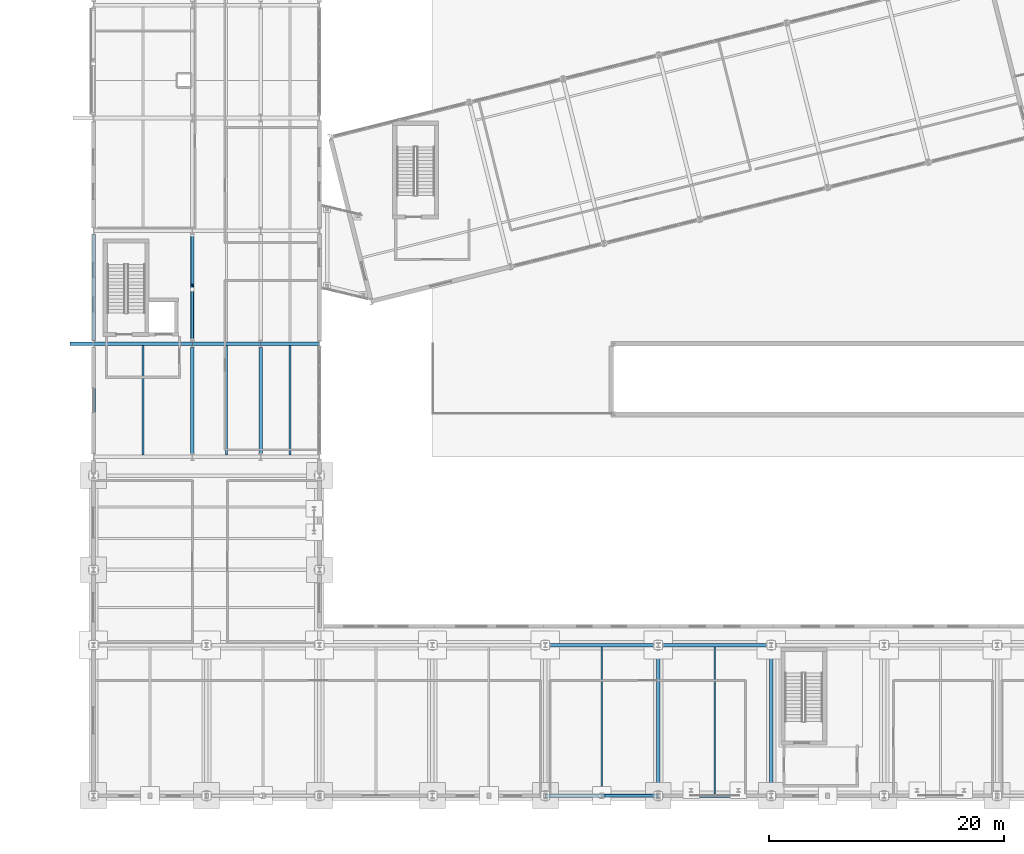
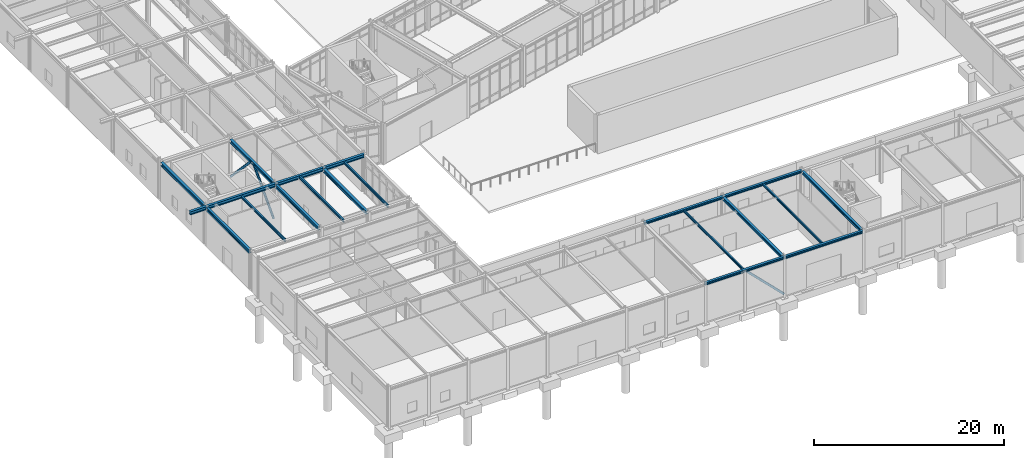
# One storey, part 22 of 109: 20 beams, 3 members.
"""IFC4 building model written with IfcOpenShell, lengths in metres."""

from ifc_helpers import new_model, si_unit, direction, frame, origin, origin_2d, place, context, subcontext, project, spatial, hollow_rectangle, hollow_circle, i_section, extrude, material, material_profile, profile_set, type_object, element, save


model = new_model("IFC4")

# Units and contexts
model_context = context("Model", 3, precision=1e-05, world=origin(), true_north=direction((0.0, 1.0)))
body_context = subcontext(model_context, "Body", "Model", "MODEL_VIEW")
ifc_project = project(units=[si_unit("LENGTHUNIT", "METRE"), si_unit("AREAUNIT", "SQUARE_METRE"), si_unit("VOLUMEUNIT", "CUBIC_METRE"), si_unit("PLANEANGLEUNIT", "RADIAN"), si_unit("MASSUNIT", "GRAM", prefix="KILO")], contexts=[model_context])

# Site, building, storey
site_placement = place(None, origin())
site = spatial("IfcSite", under=ifc_project, at=site_placement, CompositionType="ELEMENT")
building_placement = place(site_placement, origin())
building = spatial("IfcBuilding", under=site, at=building_placement, Name="Nordkorset Police Headquarters", CompositionType="ELEMENT")
storey_placement = place(building_placement, origin())
storey = spatial("IfcBuildingStorey", under=building, at=storey_placement, Name="L00", CompositionType="ELEMENT", Elevation=0.0)

# Beams
ifc_material_1 = material(Name="Steel S355J2", Category="steel")
ifc_material_profile_1 = material_profile(ifc_material_1, i_section(OverallWidth=0.14990234375, OverallDepth=0.300048828125, WebThickness=0.007080078125, FlangeThickness=0.0107421875, FilletRadius=0.014892578125, at=origin_2d()), Name="IPE 300")
ifc_profile_set_1 = profile_set([ifc_material_profile_1], Name="Steel S355J2")
beam_type_1 = type_object("IfcBeamType", Name="Beam_IPE_300", PredefinedType="JOIST", material=ifc_profile_set_1)
for number, where, z_axis, x_axis, name in (
    (1, (43.199951171875, 0.14990234375, 4.85009765625), (0.0, 1.0, 0.0), (-1.0, 0.0, 0.0), "Composite Floor Beam V7S L00 4-0-1"),
    (2, (52.800048828125, 0.14990234375, 4.85009765625), (0.0, 1.0, 0.0), (-1.0, 0.0, 0.0), "Composite Floor Beam V7S L00 5-0-1"),
):
    element("IfcBeam", number, at=place(storey_placement, frame(where, z_axis=z_axis, x_axis=x_axis)), inside=storey, type_object=beam_type_1, Name=name, PredefinedType="JOIST", context=body_context, shape_type="SweptSolid", body=[
        extrude(i_section(OverallWidth=0.14990234375, OverallDepth=0.300048828125, WebThickness=0.007080078125, FlangeThickness=0.0107421875, FilletRadius=0.014892578125, at=origin_2d()), origin(), (0.0, 0.0, 1.0), 12.5),
    ])
ifc_material_2 = material(Name="Steel S355J2", Category="steel")
ifc_material_profile_2 = material_profile(ifc_material_2, i_section(OverallWidth=0.169921875, OverallDepth=0.360107421875, WebThickness=0.008056640625, FlangeThickness=0.0126953125, FilletRadius=0.01806640625, at=origin_2d()), Name="IPE 360")
ifc_profile_set_2 = profile_set([ifc_material_profile_2], Name="Steel S355J2")
beam_type_2 = type_object("IfcBeamType", Name="Beam_IPE_360", PredefinedType="BEAM", material=ifc_profile_set_2)
for number, where, z_axis, x_axis, name in (
    (3, (4.199951171875, 28.949951171875, 4.820068359375), (0.0, 1.0, 0.0), (-1.0, 0.0, 0.0), "Composite Floor Beam V3 L00 0-0-1"),
    (4, (11.300048828125, 28.949951171875, 4.820068359375), (0.0, 1.0, 0.0), (-1.0, 0.0, 0.0), "Composite Floor Beam V3 L00 1-0-1"),
    (5, (16.699951171875, 28.949951171875, 4.820068359375), (0.0, 1.0, 0.0), (-1.0, 0.0, 0.0), "Composite Floor Beam V3 L00 2-0-1"),
):
    element("IfcBeam", number, at=place(storey_placement, frame(where, z_axis=z_axis, x_axis=x_axis)), inside=storey, type_object=beam_type_2, Name=name, PredefinedType="BEAM", context=body_context, shape_type="SweptSolid", body=[
        extrude(i_section(OverallWidth=0.169921875, OverallDepth=0.360107421875, WebThickness=0.008056640625, FlangeThickness=0.0126953125, FilletRadius=0.01806640625, at=origin_2d()), origin(), (0.0, 0.0, 1.0), 9.300048828125),
    ])

# Members
ifc_material_3 = material(Name="Steel S355J2", Category="steel")
ifc_material_profile_3 = material_profile(ifc_material_3, hollow_circle(Radius=0.136474609375, WallThickness=0.012451171875, at=origin_2d()), Name="CHS 273x12.5")
ifc_profile_set_3 = profile_set([ifc_material_profile_3], Name="Steel S355J2")
member_type_1 = type_object("IfcMemberType", Name="Brace_CHS_273x12.5", PredefinedType="BRACE", material=ifc_profile_set_3)
for number, where, z_axis, x_axis, name in (
    (6, (8.39990234375, 38.699951171875, 0.199951171875), (0.0, 0.686156550894, 0.727453907588), (-1.0, 0.0, 0.0), "Lateral Chevron Brace BF-V3-A L00 D1"),
    (7, (8.39990234375, 47.699951171875, 0.199951171875), (0.0, -0.686156550894, 0.727453907588), (1.0, 0.0, 0.0), "Lateral Chevron Brace BF-V3-A L00 D2"),
):
    element("IfcMember", number, at=place(storey_placement, frame(where, z_axis=z_axis, x_axis=x_axis)), inside=storey, type_object=member_type_1, Name=name, PredefinedType="BRACE", context=body_context, shape_type="SweptSolid", body=[
        extrude(hollow_circle(Radius=0.136474609375, WallThickness=0.012451171875, at=origin_2d()), origin(), (0.0, 0.0, 1.0), 6.296142578125),
    ])
ifc_material_4 = material(Name="Steel S355J2", Category="steel")
ifc_material_profile_4 = material_profile(ifc_material_4, hollow_rectangle(XDim=0.25, YDim=0.25, WallThickness=0.012451171875, InnerFilletRadius=0.012451171875, OuterFilletRadius=0.02490234375, at=origin_2d()), Name="SHS 250x250x12.5")
ifc_profile_set_4 = profile_set([ifc_material_profile_4], Name="Steel S355J2")
member_type_2 = type_object("IfcMemberType", Name="Brace_SHS_250x250x12.5", PredefinedType="BRACE", material=ifc_profile_set_4)
member_placement = place(storey_placement, frame((47.993408203125, 0.0, 0.199951171875), z_axis=(-0.709674611115, 0.0, 0.704529592238), x_axis=(0.0, -1.0, 0.0)))
element("IfcMember", 8, at=member_placement, inside=storey, type_object=member_type_2, Name="Lateral Chevron Brace BF-EXT-V7S4 L00 D2", PredefinedType="BRACE", context=body_context, shape_type="SweptSolid", body=[
    extrude(hollow_rectangle(XDim=0.25, YDim=0.25, WallThickness=0.012451171875, InnerFilletRadius=0.012451171875, OuterFilletRadius=0.02490234375, at=origin_2d()), origin(), (0.0, 0.0, 1.0), 6.5009765625),
])

# Beams
ifc_material_5 = material(Name="Steel S355J2", Category="steel")
ifc_material_profile_5 = material_profile(ifc_material_5, i_section(OverallWidth=0.300048828125, OverallDepth=0.389892578125, WebThickness=0.010986328125, FlangeThickness=0.01904296875, FilletRadius=0.027099609375, at=origin_2d()), Name="HEA 400")
ifc_profile_set_5 = profile_set([ifc_material_profile_5], Name="Steel S355J2")
beam_type_3 = type_object("IfcBeamType", Name="Girder_HEA_400", PredefinedType="USERDEFINED", material=ifc_profile_set_5)
for number, where, z_axis, x_axis, name in (
    (9, (48.0, 0.199951171875, 4.804931640625), (0.0, 1.0, 0.0), (-1.0, 0.0, 0.0), "Girder V7S L00 GY-5-0"),
    (10, (57.60009765625, 0.199951171875, 4.804931640625), (0.0, 1.0, 0.0), (-1.0, 0.0, 0.0), "Girder V7S L00 GY-6-0"),
):
    element("IfcBeam", number, at=place(storey_placement, frame(where, z_axis=z_axis, x_axis=x_axis)), inside=storey, type_object=beam_type_3, Name=name, ObjectType="GIRDER", PredefinedType="USERDEFINED", context=body_context, shape_type="SweptSolid", body=[
        extrude(i_section(OverallWidth=0.300048828125, OverallDepth=0.389892578125, WebThickness=0.010986328125, FlangeThickness=0.01904296875, FilletRadius=0.027099609375, at=origin_2d()), origin(), (0.0, 0.0, 1.0), 12.400146484375),
    ])
ifc_material_6 = material(Name="Steel S355J2", Category="steel")
ifc_material_profile_6 = material_profile(ifc_material_6, i_section(OverallWidth=0.300048828125, OverallDepth=0.43994140625, WebThickness=0.011474609375, FlangeThickness=0.02099609375, FilletRadius=0.027099609375, at=origin_2d()), Name="HEA 450")
ifc_profile_set_6 = profile_set([ifc_material_profile_6], Name="Steel S355J2")
beam_type_4 = type_object("IfcBeamType", Name="Girder_HEA_450", PredefinedType="USERDEFINED", material=ifc_profile_set_6)
beam_1_placement = place(storey_placement, frame((0.0078125, 38.39990234375, 4.780029296875), z_axis=(1.0, 0.0, 0.0), x_axis=(0.0, 1.0, 0.0)))
element("IfcBeam", 11, at=beam_1_placement, inside=storey, type_object=beam_type_4, Name="Girder V3 L00 GX-1-0", ObjectType="GIRDER", PredefinedType="USERDEFINED", context=body_context, shape_type="SweptSolid", body=[
    extrude(i_section(OverallWidth=0.300048828125, OverallDepth=0.43994140625, WebThickness=0.011474609375, FlangeThickness=0.02099609375, FilletRadius=0.027099609375, at=origin_2d()), origin(), (0.0, 0.0, 1.0), 8.384521484375),
])
beam_2_placement = place(storey_placement, frame((8.40771484375, 38.39990234375, 4.780029296875), z_axis=(1.0, 0.0, 0.0), x_axis=(0.0, 1.0, 0.0)))
element("IfcBeam", 12, at=beam_2_placement, inside=storey, type_object=beam_type_4, Name="Girder V3 L00 GX-1-1", ObjectType="GIRDER", PredefinedType="USERDEFINED", context=body_context, shape_type="SweptSolid", body=[
    extrude(i_section(OverallWidth=0.300048828125, OverallDepth=0.43994140625, WebThickness=0.011474609375, FlangeThickness=0.02099609375, FilletRadius=0.027099609375, at=origin_2d()), origin(), (0.0, 0.0, 1.0), 5.78466796875),
])
beam_3_placement = place(storey_placement, frame((14.207763671875, 38.39990234375, 4.780029296875), z_axis=(1.0, 0.0, 0.0), x_axis=(0.0, 1.0, 0.0)))
element("IfcBeam", 13, at=beam_3_placement, inside=storey, type_object=beam_type_4, Name="Girder V3 L00 GX-1-2", ObjectType="GIRDER", PredefinedType="USERDEFINED", context=body_context, shape_type="SweptSolid", body=[
    extrude(i_section(OverallWidth=0.300048828125, OverallDepth=0.43994140625, WebThickness=0.011474609375, FlangeThickness=0.02099609375, FilletRadius=0.027099609375, at=origin_2d()), origin(), (0.0, 0.0, 1.0), 4.98486328125),
])
for number, where, z_axis, x_axis, name in (
    (14, (0.0, 29.10009765625, 4.780029296875), (0.0, 1.0, 0.0), (-1.0, 0.0, 0.0), "Girder V3 L00 GY-0-0"),
    (15, (0.0, 38.699951171875, 4.780029296875), (0.0, 1.0, 0.0), (-1.0, 0.0, 0.0), "Girder V3 L00 GY-0-1"),
    (16, (8.39990234375, 29.10009765625, 4.780029296875), (0.0, 1.0, 0.0), (-1.0, 0.0, 0.0), "Girder V3 L00 GY-1-0"),
    (17, (8.39990234375, 38.699951171875, 4.780029296875), (0.0, 1.0, 0.0), (-1.0, 0.0, 0.0), "Girder V3 L00 GY-1-1"),
    (18, (14.199951171875, 29.10009765625, 4.780029296875), (0.0, 1.0, 0.0), (-1.0, 0.0, 0.0), "Girder V3 L00 GY-2-0"),
):
    element("IfcBeam", number, at=place(storey_placement, frame(where, z_axis=z_axis, x_axis=x_axis)), inside=storey, type_object=beam_type_4, Name=name, ObjectType="GIRDER", PredefinedType="USERDEFINED", context=body_context, shape_type="SweptSolid", body=[
        extrude(i_section(OverallWidth=0.300048828125, OverallDepth=0.43994140625, WebThickness=0.011474609375, FlangeThickness=0.02099609375, FilletRadius=0.027099609375, at=origin_2d()), origin(), (0.0, 0.0, 1.0), 9.0),
    ])
beam_4_placement = place(storey_placement, frame((-0.0078125, 38.39990234375, 4.780029296875), z_axis=(-1.0, 0.0, 0.0), x_axis=(0.0, -1.0, 0.0)))
element("IfcBeam", 19, at=beam_4_placement, inside=storey, type_object=beam_type_4, Name="Sawtooth Facade Outrigger V3 L00 38", ObjectType="GIRDER", PredefinedType="USERDEFINED", context=body_context, shape_type="SweptSolid", body=[
    extrude(i_section(OverallWidth=0.300048828125, OverallDepth=0.43994140625, WebThickness=0.011474609375, FlangeThickness=0.02099609375, FilletRadius=0.027099609375, at=origin_2d()), origin(), (0.0, 0.0, 1.0), 1.982177734375),
])
ifc_material_7 = material(Name="Steel S355J2", Category="steel")
ifc_material_profile_7 = material_profile(ifc_material_7, i_section(OverallWidth=0.300048828125, OverallDepth=0.31005859375, WebThickness=0.009033203125, FlangeThickness=0.015380859375, FilletRadius=0.027099609375, at=origin_2d()), Name="HEA 320")
ifc_profile_set_7 = profile_set([ifc_material_profile_7], Name="Steel S355J2")
beam_type_5 = type_object("IfcBeamType", Name="Spandrel_HEA_320", PredefinedType="SPANDREL", material=ifc_profile_set_7)
for number, where, z_axis, x_axis, name in (
    (20, (38.40673828125, 0.0, 4.844970703125), (1.0, 0.0, 0.0), (0.0, 1.0, 0.0), "Girder V7S L00 GX-0-4"),
    (21, (48.006591796875, 0.0, 4.844970703125), (1.0, 0.0, 0.0), (0.0, 1.0, 0.0), "Girder V7S L00 GX-0-5"),
    (22, (38.40673828125, 12.800048828125, 4.844970703125), (1.0, 0.0, 0.0), (0.0, 1.0, 0.0), "Girder V7S L00 GX-1-4"),
    (23, (48.006591796875, 12.800048828125, 4.844970703125), (1.0, 0.0, 0.0), (0.0, 1.0, 0.0), "Girder V7S L00 GX-1-5"),
):
    element("IfcBeam", number, at=place(storey_placement, frame(where, z_axis=z_axis, x_axis=x_axis)), inside=storey, type_object=beam_type_5, Name=name, PredefinedType="SPANDREL", context=body_context, shape_type="SweptSolid", body=[
        extrude(i_section(OverallWidth=0.300048828125, OverallDepth=0.31005859375, WebThickness=0.009033203125, FlangeThickness=0.015380859375, FilletRadius=0.027099609375, at=origin_2d()), origin(), (0.0, 0.0, 1.0), 9.586669921875),
    ])

save(model, "model.ifc")
